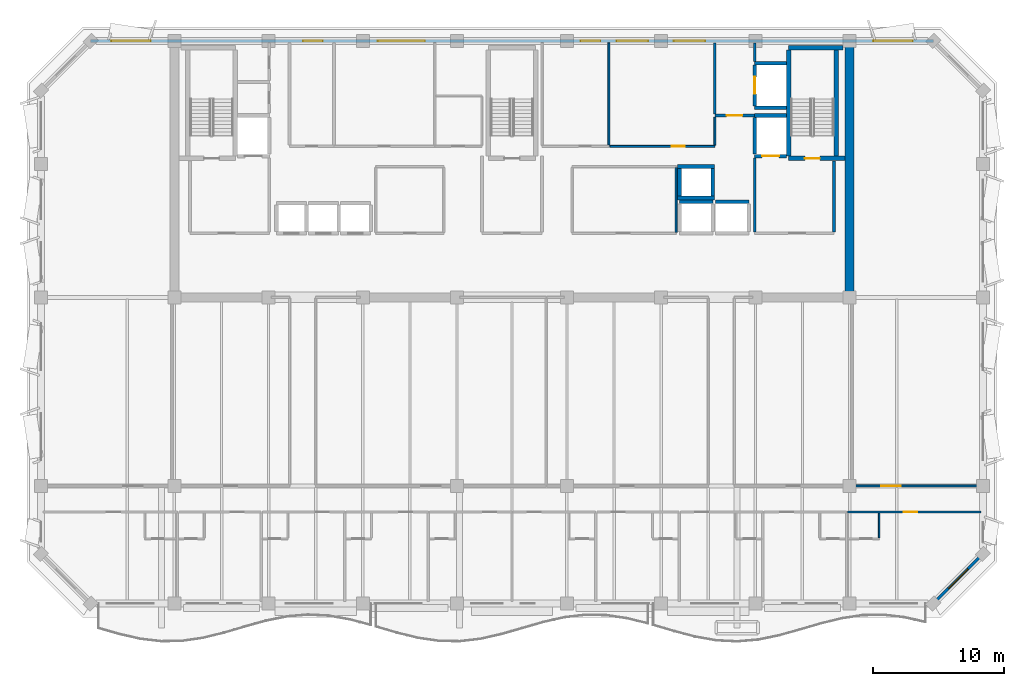
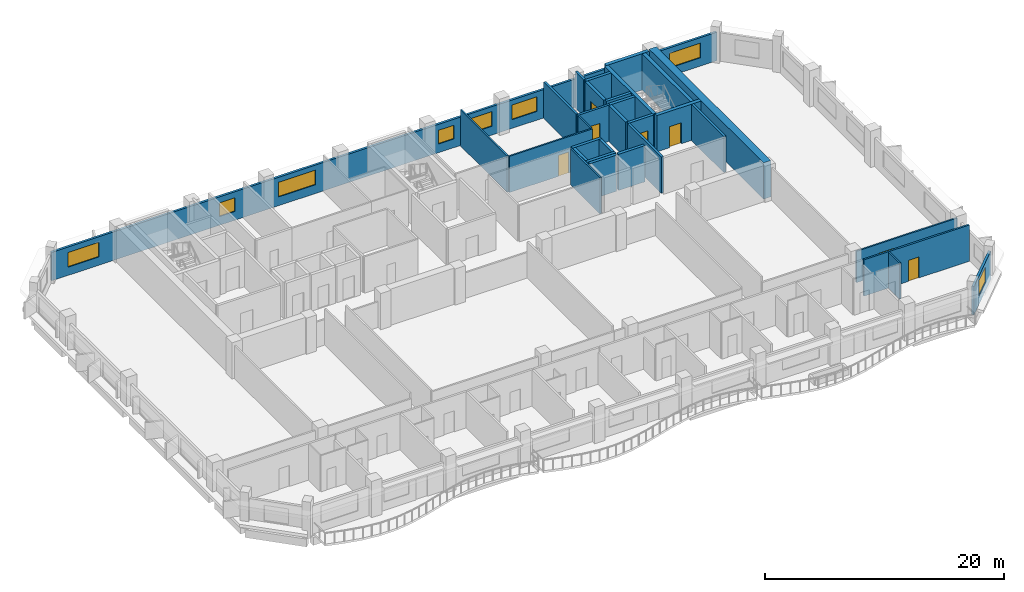
# One storey, part 7 of 11: 31 walls, 8 windows, 7 doors, 15 openings.
"""IFC4 building model written with IfcOpenShell, lengths in metres."""

from ifc_helpers import new_model, si_unit, direction, frame, frame_2d, origin, place, context, subcontext, project, spatial, rectangle, extrude, material, layer, layer_set, type_object, element, fill, save


model = new_model("IFC4")

# Units and contexts
model_context = context("Model", 3, precision=1e-05, world=origin(), true_north=direction((0.0, 1.0)))
body_context = subcontext(model_context, "Body", "Model", "MODEL_VIEW")
ifc_project = project(units=[si_unit("LENGTHUNIT", "METRE"), si_unit("AREAUNIT", "SQUARE_METRE"), si_unit("VOLUMEUNIT", "CUBIC_METRE"), si_unit("PLANEANGLEUNIT", "RADIAN"), si_unit("MASSUNIT", "GRAM", prefix="KILO")], contexts=[model_context])

# Site, building, storey
site_placement = place(None, origin())
site = spatial("IfcSite", under=ifc_project, at=site_placement, CompositionType="ELEMENT")
building_placement = place(site_placement, origin())
building = spatial("IfcBuilding", under=site, at=building_placement, Name="Kaelvorn Grand Hotel", CompositionType="ELEMENT")
storey_placement = place(building_placement, frame((0.0, 0.0, 237.050048828125)))
storey = spatial("IfcBuildingStorey", under=building, at=storey_placement, Name="L58", CompositionType="ELEMENT", Elevation=237.050048828125)

# Wall
ifc_material_1 = material(Name="Concrete C50/60", Category="concrete")
ifc_layer_1 = layer(ifc_material_1, 0.699951171875)
ifc_layer_set_1 = layer_set([ifc_layer_1], Name="Concrete C50/60")
wall_type_1 = type_object("IfcWallType", Name="WL-CORE-700-C50", PredefinedType="SHEAR", material=ifc_layer_set_1)
wall_1_placement = place(storey_placement, frame((67.800048828125, 29.39990234375, 0.0), z_axis=(0.0, 0.0, 1.0), x_axis=(0.0, 1.0, 0.0)))
element("IfcWall", 1, at=wall_1_placement, inside=storey, type_object=wall_type_1, Name="L58 Rear-Core East Shear Wall", PredefinedType="SHEAR", context=body_context, shape_type="SweptSolid", body=[
    extrude(rectangle(XDim=19.2001953125, YDim=0.699951171875, at=frame_2d((9.60009765625, 0.0))), origin(), (0.0, 0.0, 1.0), 3.7099609375),
])

# Wall, opening, window
ifc_material_2 = material(Name="Concrete C40/50", Category="concrete")
ifc_layer_2 = layer(ifc_material_2, 0.219970703125)
ifc_layer_set_2 = layer_set([ifc_layer_2], Name="Concrete C40/50")
wall_type_2 = type_object("IfcWallType", Name="WL-EXT-220-C40", PredefinedType="SOLIDWALL", material=ifc_layer_set_2)
wall_2_placement = place(storey_placement, frame((74.199951171875, 6.0, 0.0), z_axis=(0.0, 0.0, 1.0), x_axis=(0.707106781187, 0.707106781187, 0.0)))
wall_2 = element("IfcWall", 2, at=wall_2_placement, inside=storey, type_object=wall_type_2, Name="L58 Exterior Architectural Concrete Wall 02", PredefinedType="SOLIDWALL", context=body_context, shape_type="SweptSolid", body=[
    extrude(rectangle(XDim=5.3740234375, YDim=0.219970703125, at=frame_2d((2.68701171875, 0.0))), origin(), (0.0, 0.0, 1.0), 2.909912109375),
])
opening_1_placement = place(wall_2_placement, frame((1.636962890625, 0.0, 0.85009765625)))
opening_1 = element("IfcOpeningElement", 3, at=opening_1_placement, cuts=wall_2, Name="Opening W7", PredefinedType="OPENING", context=body_context, shape_type="SweptSolid", body=[
    extrude(rectangle(XDim=2.10009765625, YDim=1.60009765625, at=frame_2d((1.050048828125, 0.800048828125))), frame((0.0, 0.1201171875, 0.0), z_axis=(0.0, -1.0, 0.0), x_axis=(1.0, 0.0, 0.0)), (0.0, 0.0, 1.0), 0.239990234375),
])
ifc_material_3 = material(Name="Laminated Low-E Glass", Category="glass")
window_type_1 = type_object("IfcWindowType", Name="WIN-CHM-2100x1600", PartitioningType="SINGLE_PANEL", PredefinedType="WINDOW", material=ifc_material_3)
window_1_placement = place(opening_1_placement, origin())
window_1 = element("IfcWindow", 4, at=window_1_placement, inside=storey, type_object=window_type_1, Name="L58 Chamfered 45-Degree Corner Window SE", OverallHeight=1.60009765625, OverallWidth=2.10009765625, PartitioningType="SINGLE_PANEL", PredefinedType="WINDOW", context=body_context, shape_type="SweptSolid", body=[
    extrude(rectangle(XDim=2.10009765625, YDim=1.60009765625, at=frame_2d((1.050048828125, 0.800048828125))), frame((0.0, 0.030029296875, 0.0), z_axis=(0.0, -1.0, 0.0), x_axis=(1.0, 0.0, 0.0)), (0.0, 0.0, 1.0), 0.06005859375),
])
fill(opening_1, window_1)

# Wall, openings, windows
wall_3_placement = place(storey_placement, frame((74.199951171875, 49.0, 0.0), z_axis=(0.0, 0.0, 1.0), x_axis=(-1.0, 0.0, 0.0)))
wall_3 = element("IfcWall", 5, at=wall_3_placement, inside=storey, type_object=wall_type_2, Name="L58 Exterior Architectural Concrete Wall 05", PredefinedType="SOLIDWALL", context=body_context, shape_type="SweptSolid", body=[
    extrude(rectangle(XDim=64.39990234375, YDim=0.219970703125, at=frame_2d((32.199951171875, 0.0))), origin(), (0.0, 0.0, 1.0), 2.909912109375),
])
opening_2_placement = place(wall_3_placement, frame((59.81494140625, 0.0, 0.85009765625)))
opening_2 = element("IfcOpeningElement", 6, at=opening_2_placement, cuts=wall_3, Name="Opening W5", PredefinedType="OPENING", context=body_context, shape_type="SweptSolid", body=[
    extrude(rectangle(XDim=3.0, YDim=1.5, at=frame_2d((1.5, 0.75))), frame((0.0, 0.1201171875, 0.0), z_axis=(0.0, -1.0, 0.0), x_axis=(1.0, 0.0, 0.0)), (0.0, 0.0, 1.0), 0.239990234375),
])
opening_3_placement = place(wall_3_placement, frame((1.5849609375, 0.0, 0.85009765625)))
opening_3 = element("IfcOpeningElement", 7, at=opening_3_placement, cuts=wall_3, Name="Opening W5", PredefinedType="OPENING", context=body_context, shape_type="SweptSolid", body=[
    extrude(rectangle(XDim=3.0, YDim=1.5, at=frame_2d((1.5, 0.75))), frame((0.0, 0.1201171875, 0.0), z_axis=(0.0, -1.0, 0.0), x_axis=(1.0, 0.0, 0.0)), (0.0, 0.0, 1.0), 0.239990234375),
])
opening_4_placement = place(wall_3_placement, frame((46.6650390625, 0.0, 0.89990234375)))
opening_4 = element("IfcOpeningElement", 8, at=opening_4_placement, cuts=wall_3, Name="Opening W10", PredefinedType="OPENING", context=body_context, shape_type="SweptSolid", body=[
    extrude(rectangle(XDim=1.5, YDim=1.39990234375, at=frame_2d((0.75, 0.699951171875))), frame((0.0, 0.1201171875, 0.0), z_axis=(0.0, -1.0, 0.0), x_axis=(1.0, 0.0, 0.0)), (0.0, 0.0, 1.0), 0.239990234375),
])
opening_5_placement = place(wall_3_placement, frame((38.85009765625, 0.0, 0.89990234375)))
opening_5 = element("IfcOpeningElement", 9, at=opening_5_placement, cuts=wall_3, Name="Opening W3", PredefinedType="OPENING", context=body_context, shape_type="SweptSolid", body=[
    extrude(rectangle(XDim=3.60009765625, YDim=1.5, at=frame_2d((1.800048828125, 0.75))), frame((0.0, 0.1201171875, 0.0), z_axis=(0.0, -1.0, 0.0), x_axis=(1.0, 0.0, 0.0)), (0.0, 0.0, 1.0), 0.239990234375),
])
opening_6_placement = place(wall_3_placement, frame((25.449951171875, 0.0, 0.89990234375)))
opening_6 = element("IfcOpeningElement", 10, at=opening_6_placement, cuts=wall_3, Name="Opening W10", PredefinedType="OPENING", context=body_context, shape_type="SweptSolid", body=[
    extrude(rectangle(XDim=1.5, YDim=1.39990234375, at=frame_2d((0.75, 0.699951171875))), frame((0.0, 0.1201171875, 0.0), z_axis=(0.0, -1.0, 0.0), x_axis=(1.0, 0.0, 0.0)), (0.0, 0.0, 1.0), 0.239990234375),
])
opening_7_placement = place(wall_3_placement, frame((21.800048828125, 0.0, 0.89990234375)))
opening_7 = element("IfcOpeningElement", 11, at=opening_7_placement, cuts=wall_3, Name="Opening W6", PredefinedType="OPENING", context=body_context, shape_type="SweptSolid", body=[
    extrude(rectangle(XDim=2.39990234375, YDim=1.5, at=frame_2d((1.199951171875, 0.75))), frame((0.0, 0.1201171875, 0.0), z_axis=(0.0, -1.0, 0.0), x_axis=(1.0, 0.0, 0.0)), (0.0, 0.0, 1.0), 0.239990234375),
])
opening_8_placement = place(wall_3_placement, frame((17.43505859375, 0.0, 0.89990234375)))
opening_8 = element("IfcOpeningElement", 12, at=opening_8_placement, cuts=wall_3, Name="Opening W6", PredefinedType="OPENING", context=body_context, shape_type="SweptSolid", body=[
    extrude(rectangle(XDim=2.39990234375, YDim=1.5, at=frame_2d((1.199951171875, 0.75))), frame((0.0, 0.1201171875, 0.0), z_axis=(0.0, -1.0, 0.0), x_axis=(1.0, 0.0, 0.0)), (0.0, 0.0, 1.0), 0.239990234375),
])
window_type_2 = type_object("IfcWindowType", Name="WIN-COR-1500x1400", PartitioningType="SINGLE_PANEL", PredefinedType="WINDOW", material=ifc_material_3)
window_2_placement = place(opening_4_placement, origin())
window_2 = element("IfcWindow", 13, at=window_2_placement, inside=storey, type_object=window_type_2, Name="L58 North Core Clerestory Ribbon Window NC03", OverallHeight=1.39990234375, OverallWidth=1.5, PartitioningType="SINGLE_PANEL", PredefinedType="WINDOW", context=body_context, shape_type="SweptSolid", body=[
    extrude(rectangle(XDim=1.5, YDim=1.39990234375, at=frame_2d((0.75, 0.699951171875))), frame((0.0, 0.030029296875, 0.0), z_axis=(0.0, -1.0, 0.0), x_axis=(1.0, 0.0, 0.0)), (0.0, 0.0, 1.0), 0.06005859375),
])
fill(opening_4, window_2)
window_3_placement = place(opening_6_placement, origin())
window_3 = element("IfcWindow", 14, at=window_3_placement, inside=storey, type_object=window_type_2, Name="L58 North Core Clerestory Ribbon Window NC05", OverallHeight=1.39990234375, OverallWidth=1.5, PartitioningType="SINGLE_PANEL", PredefinedType="WINDOW", context=body_context, shape_type="SweptSolid", body=[
    extrude(rectangle(XDim=1.5, YDim=1.39990234375, at=frame_2d((0.75, 0.699951171875))), frame((0.0, 0.030029296875, 0.0), z_axis=(0.0, -1.0, 0.0), x_axis=(1.0, 0.0, 0.0)), (0.0, 0.0, 1.0), 0.06005859375),
])
fill(opening_6, window_3)
window_type_3 = type_object("IfcWindowType", Name="WIN-NTH-2400x1500", PartitioningType="SINGLE_PANEL", PredefinedType="WINDOW", material=ifc_material_3)
window_4_placement = place(opening_7_placement, origin())
window_4 = element("IfcWindow", 15, at=window_4_placement, inside=storey, type_object=window_type_3, Name="L58 North Core Clerestory Ribbon Window NC06", OverallHeight=1.5, OverallWidth=2.39990234375, PartitioningType="SINGLE_PANEL", PredefinedType="WINDOW", context=body_context, shape_type="SweptSolid", body=[
    extrude(rectangle(XDim=2.39990234375, YDim=1.5, at=frame_2d((1.199951171875, 0.75))), frame((0.0, 0.030029296875, 0.0), z_axis=(0.0, -1.0, 0.0), x_axis=(1.0, 0.0, 0.0)), (0.0, 0.0, 1.0), 0.06005859375),
])
fill(opening_7, window_4)
window_5_placement = place(opening_8_placement, origin())
window_5 = element("IfcWindow", 16, at=window_5_placement, inside=storey, type_object=window_type_3, Name="L58 North Core Clerestory Ribbon Window NC07", OverallHeight=1.5, OverallWidth=2.39990234375, PartitioningType="SINGLE_PANEL", PredefinedType="WINDOW", context=body_context, shape_type="SweptSolid", body=[
    extrude(rectangle(XDim=2.39990234375, YDim=1.5, at=frame_2d((1.199951171875, 0.75))), frame((0.0, 0.030029296875, 0.0), z_axis=(0.0, -1.0, 0.0), x_axis=(1.0, 0.0, 0.0)), (0.0, 0.0, 1.0), 0.06005859375),
])
fill(opening_8, window_5)
window_type_4 = type_object("IfcWindowType", Name="WIN-NTH-3000x1500", PartitioningType="SINGLE_PANEL", PredefinedType="WINDOW", material=ifc_material_3)
window_6_placement = place(opening_2_placement, origin())
window_6 = element("IfcWindow", 17, at=window_6_placement, inside=storey, type_object=window_type_4, Name="L58 North Wing Ribbon Window NW01", OverallHeight=1.5, OverallWidth=3.0, PartitioningType="SINGLE_PANEL", PredefinedType="WINDOW", context=body_context, shape_type="SweptSolid", body=[
    extrude(rectangle(XDim=3.0, YDim=1.5, at=frame_2d((1.5, 0.75))), frame((0.0, 0.030029296875, 0.0), z_axis=(0.0, -1.0, 0.0), x_axis=(1.0, 0.0, 0.0)), (0.0, 0.0, 1.0), 0.06005859375),
])
fill(opening_2, window_6)
window_7_placement = place(opening_3_placement, origin())
window_7 = element("IfcWindow", 18, at=window_7_placement, inside=storey, type_object=window_type_4, Name="L58 North Wing Ribbon Window NW02", OverallHeight=1.5, OverallWidth=3.0, PartitioningType="SINGLE_PANEL", PredefinedType="WINDOW", context=body_context, shape_type="SweptSolid", body=[
    extrude(rectangle(XDim=3.0, YDim=1.5, at=frame_2d((1.5, 0.75))), frame((0.0, 0.030029296875, 0.0), z_axis=(0.0, -1.0, 0.0), x_axis=(1.0, 0.0, 0.0)), (0.0, 0.0, 1.0), 0.06005859375),
])
fill(opening_3, window_7)
window_type_5 = type_object("IfcWindowType", Name="WIN-RIB-3600x1750", PartitioningType="SINGLE_PANEL", PredefinedType="WINDOW", material=ifc_material_3)
window_8_placement = place(opening_5_placement, origin())
window_8 = element("IfcWindow", 19, at=window_8_placement, inside=storey, type_object=window_type_5, Name="L58 North Core Clerestory Ribbon Window NC04", OverallHeight=1.5, OverallWidth=3.60009765625, PartitioningType="SINGLE_PANEL", PredefinedType="WINDOW", context=body_context, shape_type="SweptSolid", body=[
    extrude(rectangle(XDim=3.60009765625, YDim=1.5, at=frame_2d((1.800048828125, 0.75))), frame((0.0, 0.030029296875, 0.0), z_axis=(0.0, -1.0, 0.0), x_axis=(1.0, 0.0, 0.0)), (0.0, 0.0, 1.0), 0.06005859375),
])
fill(opening_5, window_8)

# Walls
ifc_material_4 = material(Name="Moisture-Resistant Tile & Stud Board")
ifc_layer_3 = layer(ifc_material_4, 0.125)
ifc_layer_set_3 = layer_set([ifc_layer_3], Name="Moisture-Resistant Tile & Stud Board")
wall_type_3 = type_object("IfcWallType", Name="WL-PART-125-WET", PredefinedType="PARTITIONING", material=ifc_layer_set_3)
wall_4_placement = place(storey_placement, frame((70.06005859375, 11.017578125, 0.0), z_axis=(0.0, 0.0, 1.0), x_axis=(0.0, 1.0, 0.0)))
element("IfcWall", 20, at=wall_4_placement, inside=storey, type_object=wall_type_3, Name="L58 En-suite Bathroom L58-10 E Partition", PredefinedType="PARTITIONING", context=body_context, shape_type="SweptSolid", body=[
    extrude(rectangle(XDim=1.887451171875, YDim=0.125, at=frame_2d((0.94384765625, 0.0))), origin(), (0.0, 0.0, 1.0), 3.7099609375),
])
ifc_material_5 = material(Name="Acoustic Gypsum & Stud Partition")
ifc_layer_4 = layer(ifc_material_5, 0.14990234375)
ifc_layer_set_4 = layer_set([ifc_layer_4], Name="Acoustic Gypsum & Stud Partition")
wall_type_4 = type_object("IfcWallType", Name="WL-PART-150-EI60", PredefinedType="PARTITIONING", material=ifc_layer_set_4)
wall_5_placement = place(storey_placement, frame((54.550048828125, 34.3798828125, 0.0), z_axis=(0.0, 0.0, 1.0), x_axis=(0.0, 1.0, 0.0)))
element("IfcWall", 21, at=wall_5_placement, inside=storey, type_object=wall_type_4, Name="L58 Sky Concierge & Butler Pantry Lounge E Partition", PredefinedType="PARTITIONING", context=body_context, shape_type="SweptSolid", body=[
    extrude(rectangle(XDim=4.940185546875, YDim=0.14990234375, at=frame_2d((2.47021484375, 0.0))), origin(), (0.0, 0.0, 1.0), 3.7099609375),
])
wall_6_placement = place(storey_placement, frame((49.39990234375, 41.030029296875, 0.0), z_axis=(0.0, 0.0, 1.0), x_axis=(0.0, 1.0, 0.0)))
element("IfcWall", 22, at=wall_6_placement, inside=storey, type_object=wall_type_4, Name="L58 Laundry Chute Vestibule E Partition", PredefinedType="PARTITIONING", context=body_context, shape_type="SweptSolid", body=[
    extrude(rectangle(XDim=7.820068359375, YDim=0.14990234375, at=frame_2d((3.91015625, 0.0))), origin(), (0.0, 0.0, 1.0), 3.7099609375),
])

# Wall, opening, door
wall_7_placement = place(storey_placement, frame((49.47998046875, 40.949951171875, 0.0), z_axis=(0.0, 0.0, 1.0), x_axis=(1.0, 0.0, 0.0)))
wall_7 = element("IfcWall", 23, at=wall_7_placement, inside=storey, type_object=wall_type_4, Name="L58 Butler Servery Pantry S Partition", PredefinedType="PARTITIONING", context=body_context, shape_type="SweptSolid", body=[
    extrude(rectangle(XDim=8.02001953125, YDim=0.14990234375, at=frame_2d((4.010009765625, 0.0))), origin(), (0.0, 0.0, 1.0), 3.7099609375),
])
opening_9_placement = place(wall_7_placement, frame((4.719970703125, 0.0, 0.0)))
opening_9 = element("IfcOpeningElement", 24, at=opening_9_placement, cuts=wall_7, Name="Opening DI3", PredefinedType="OPENING", context=body_context, shape_type="SweptSolid", body=[
    extrude(rectangle(XDim=1.0, YDim=2.14990234375, at=frame_2d((0.5, 1.074951171875))), frame((0.0, 0.0849609375, 0.0), z_axis=(0.0, -1.0, 0.0), x_axis=(1.0, 0.0, 0.0)), (0.0, 0.0, 1.0), 0.169921875),
])
ifc_material_6 = material(Name="Timber Veneer Fire Leaf", Category="wood")
door_type_1 = type_object("IfcDoorType", Name="DR-INT-GUEST-1000x2150", OperationType="NOTDEFINED", PredefinedType="DOOR", material=ifc_material_6)
door_1_placement = place(opening_9_placement, origin())
door_1 = element("IfcDoor", 25, at=door_1_placement, inside=storey, type_object=door_type_1, Name="L58 Butler Servery Pantry Door", OperationType="SINGLE_SWING_LEFT", OverallHeight=2.14990234375, OverallWidth=1.0, PredefinedType="DOOR", context=body_context, shape_type="SweptSolid", body=[
    extrude(rectangle(XDim=1.0, YDim=2.14990234375, at=frame_2d((0.5, 1.074951171875))), frame((0.0, 0.02490234375, 0.0), z_axis=(0.0, -1.0, 0.0), x_axis=(1.0, 0.0, 0.0)), (0.0, 0.0, 1.0), 0.050048828125),
])
fill(opening_9, door_1)

# Wall
wall_8_placement = place(storey_placement, frame((57.5, 41.030029296875, 0.0), z_axis=(0.0, 0.0, 1.0), x_axis=(0.0, 1.0, 0.0)))
element("IfcWall", 26, at=wall_8_placement, inside=storey, type_object=wall_type_4, Name="L58 Butler Servery Pantry E Partition", PredefinedType="PARTITIONING", context=body_context, shape_type="SweptSolid", body=[
    extrude(rectangle(XDim=2.155029296875, YDim=0.14990234375, at=frame_2d((1.07763671875, 0.0))), origin(), (0.0, 0.0, 1.0), 3.7099609375),
])

# Wall, opening, door
wall_9_placement = place(storey_placement, frame((68.080078125, 15.0, 0.0), z_axis=(0.0, 0.0, 1.0), x_axis=(1.0, 0.0, 0.0)))
wall_9 = element("IfcWall", 27, at=wall_9_placement, inside=storey, type_object=wall_type_4, Name="L58 East Sky Executive Meeting Boardroom S Partition", PredefinedType="PARTITIONING", context=body_context, shape_type="SweptSolid", body=[
    extrude(rectangle(XDim=9.77001953125, YDim=0.14990234375, at=frame_2d((4.885009765625, 0.0))), origin(), (0.0, 0.0, 1.0), 3.2099609375),
])
opening_10_placement = place(wall_9_placement, frame((2.139892578125, 0.0, 0.0)))
opening_10 = element("IfcOpeningElement", 28, at=opening_10_placement, cuts=wall_9, Name="Opening DI5", PredefinedType="OPENING", context=body_context, shape_type="SweptSolid", body=[
    extrude(rectangle(XDim=1.5, YDim=2.25, at=frame_2d((0.75, 1.125))), frame((0.0, 0.0849609375, 0.0), z_axis=(0.0, -1.0, 0.0), x_axis=(1.0, 0.0, 0.0)), (0.0, 0.0, 1.0), 0.169921875),
])
door_type_2 = type_object("IfcDoorType", Name="DR-INT-SALON-1500x2250", OperationType="DOUBLE_DOOR_SINGLE_SWING", PredefinedType="DOOR", material=ifc_material_6)
door_2_placement = place(opening_10_placement, origin())
door_2 = element("IfcDoor", 29, at=door_2_placement, inside=storey, type_object=door_type_2, Name="L58 East Sky Executive Meeting Boardroom Door", OperationType="DOUBLE_DOOR_SINGLE_SWING", OverallHeight=2.25, OverallWidth=1.5, PredefinedType="DOOR", context=body_context, shape_type="SweptSolid", body=[
    extrude(rectangle(XDim=1.5, YDim=2.25, at=frame_2d((0.75, 1.125))), frame((0.0, 0.02490234375, 0.0), z_axis=(0.0, -1.0, 0.0), x_axis=(1.0, 0.0, 0.0)), (0.0, 0.0, 1.0), 0.050048828125),
])
fill(opening_10, door_2)

ifc_layer_5 = layer(ifc_material_5, 0.179931640625)
ifc_layer_set_5 = layer_set([ifc_layer_5], Name="Acoustic Gypsum & Stud Partition")
wall_type_5 = type_object("IfcWallType", Name="WL-PART-180-EI60", PredefinedType="PARTITIONING", material=ifc_layer_set_5)
wall_10_placement = place(storey_placement, frame((67.655029296875, 13.0, 0.0), z_axis=(0.0, 0.0, 1.0), x_axis=(1.0, 0.0, 0.0)))
wall_10 = element("IfcWall", 30, at=wall_10_placement, inside=storey, type_object=wall_type_5, Name="L58 Ambassador Guest Room L58-10 N Partition", PredefinedType="PARTITIONING", context=body_context, shape_type="SweptSolid", body=[
    extrude(rectangle(XDim=10.195068359375, YDim=0.179931640625, at=frame_2d((5.09765625, 0.0))), origin(), (0.0, 0.0, 1.0), 3.7099609375),
])
opening_11_placement = place(wall_10_placement, frame((4.300048828125, 0.0, 0.0)))
opening_11 = element("IfcOpeningElement", 31, at=opening_11_placement, cuts=wall_10, Name="Opening DI3", PredefinedType="OPENING", context=body_context, shape_type="SweptSolid", body=[
    extrude(rectangle(XDim=1.0, YDim=2.14990234375, at=frame_2d((0.5, 1.074951171875))), frame((0.0, 0.10009765625, 0.0), z_axis=(0.0, -1.0, 0.0), x_axis=(1.0, 0.0, 0.0)), (0.0, 0.0, 1.0), 0.199951171875),
])
door_3_placement = place(opening_11_placement, origin())
door_3 = element("IfcDoor", 32, at=door_3_placement, inside=storey, type_object=door_type_1, Name="L58 Ambassador Guest Room L58-10 Door", OperationType="SINGLE_SWING_RIGHT", OverallHeight=2.14990234375, OverallWidth=1.0, PredefinedType="DOOR", context=body_context, shape_type="SweptSolid", body=[
    extrude(rectangle(XDim=1.0, YDim=2.14990234375, at=frame_2d((0.5, 1.074951171875))), frame((0.0, 0.02490234375, 0.0), z_axis=(0.0, -1.0, 0.0), x_axis=(1.0, 0.0, 0.0)), (0.0, 0.0, 1.0), 0.050048828125),
])
fill(opening_11, door_3)

# Walls
ifc_layer_6 = layer(ifc_material_2, 0.219970703125)
ifc_layer_set_6 = layer_set([ifc_layer_6], Name="Concrete C40/50")
wall_type_6 = type_object("IfcWallType", Name="WL-PART-220-EI120", PredefinedType="PARTITIONING", material=ifc_layer_set_6)
wall_11_placement = place(storey_placement, frame((60.550048828125, 34.4150390625, 0.0), z_axis=(0.0, 0.0, 1.0), x_axis=(0.0, 1.0, 0.0)))
element("IfcWall", 33, at=wall_11_placement, inside=storey, type_object=wall_type_6, Name="L58 Firefighting Lift Lobby 2 W Partition", PredefinedType="PARTITIONING", context=body_context, shape_type="SweptSolid", body=[
    extrude(rectangle(XDim=5.639892578125, YDim=0.219970703125, at=frame_2d((2.81982421875, 0.0))), origin(), (0.0, 0.0, 1.0), 3.7099609375),
])
wall_12_placement = place(storey_placement, frame((66.60009765625, 34.4150390625, 0.0), z_axis=(0.0, 0.0, 1.0), x_axis=(0.0, 1.0, 0.0)))
element("IfcWall", 34, at=wall_12_placement, inside=storey, type_object=wall_type_6, Name="L58 Firefighting Lift Lobby 2 E Partition", PredefinedType="PARTITIONING", context=body_context, shape_type="SweptSolid", body=[
    extrude(rectangle(XDim=5.429931640625, YDim=0.219970703125, at=frame_2d((2.71484375, 0.0))), origin(), (0.0, 0.0, 1.0), 3.7099609375),
])

# Wall, opening, door
wall_13_placement = place(storey_placement, frame((57.5, 43.300048828125, 0.0), z_axis=(0.0, 0.0, 1.0), x_axis=(1.0, 0.0, 0.0)))
wall_13 = element("IfcWall", 35, at=wall_13_placement, inside=storey, type_object=wall_type_6, Name="L58 Service Lift Lobby S Partition", PredefinedType="PARTITIONING", context=body_context, shape_type="SweptSolid", body=[
    extrude(rectangle(XDim=3.0400390625, YDim=0.219970703125, at=frame_2d((1.52001953125, 0.0))), origin(), (0.0, 0.0, 1.0), 3.7099609375),
])
opening_12_placement = place(wall_13_placement, frame((0.89990234375, 0.0, 0.0)))
opening_12 = element("IfcOpeningElement", 36, at=opening_12_placement, cuts=wall_13, Name="Opening DI2", PredefinedType="OPENING", context=body_context, shape_type="SweptSolid", body=[
    extrude(rectangle(XDim=1.199951171875, YDim=2.14990234375, at=frame_2d((0.60009765625, 1.074951171875))), frame((0.0, 0.1201171875, 0.0), z_axis=(0.0, -1.0, 0.0), x_axis=(1.0, 0.0, 0.0)), (0.0, 0.0, 1.0), 0.239990234375),
])
door_type_3 = type_object("IfcDoorType", Name="DR-INT-FFLOB-1200x2150", OperationType="NOTDEFINED", PredefinedType="DOOR", material=ifc_material_6)
door_4_placement = place(opening_12_placement, origin())
door_4 = element("IfcDoor", 37, at=door_4_placement, inside=storey, type_object=door_type_3, Name="L58 Service Lift Lobby Door", OperationType="SINGLE_SWING_RIGHT", OverallHeight=2.14990234375, OverallWidth=1.199951171875, PredefinedType="DOOR", context=body_context, shape_type="SweptSolid", body=[
    extrude(rectangle(XDim=1.199951171875, YDim=2.14990234375, at=frame_2d((0.60009765625, 1.074951171875))), frame((0.0, 0.02490234375, 0.0), z_axis=(0.0, -1.0, 0.0), x_axis=(1.0, 0.0, 0.0)), (0.0, 0.0, 1.0), 0.050048828125),
])
fill(opening_12, door_4)

# Walls
wall_14_placement = place(storey_placement, frame((57.5, 43.4150390625, 0.0), z_axis=(0.0, 0.0, 1.0), x_axis=(0.0, 1.0, 0.0)))
element("IfcWall", 38, at=wall_14_placement, inside=storey, type_object=wall_type_6, Name="L58 Service Lift Lobby W Partition", PredefinedType="PARTITIONING", context=body_context, shape_type="SweptSolid", body=[
    extrude(rectangle(XDim=5.43505859375, YDim=0.219970703125, at=frame_2d((2.717529296875, 0.0))), origin(), (0.0, 0.0, 1.0), 3.7099609375),
])
wall_15_placement = place(storey_placement, frame((60.550048828125, 47.445068359375, 0.0), z_axis=(0.0, 0.0, 1.0), x_axis=(0.0, 1.0, 0.0)))
element("IfcWall", 39, at=wall_15_placement, inside=storey, type_object=wall_type_6, Name="L58 Service Lift Lobby E Partition", PredefinedType="PARTITIONING", context=body_context, shape_type="SweptSolid", body=[
    extrude(rectangle(XDim=1.405029296875, YDim=0.219970703125, at=frame_2d((0.70263671875, 0.0))), origin(), (0.0, 0.0, 1.0), 3.7099609375),
])
ifc_layer_7 = layer(ifc_material_1, 0.280029296875)
ifc_layer_set_7 = layer_set([ifc_layer_7], Name="Concrete C50/60")
wall_type_7 = type_object("IfcWallType", Name="WL-SHAFT-280-C50", PredefinedType="SHEAR", material=ifc_layer_set_7)
for number, where, z_axis, x_axis, name in (
    (40, (54.800048828125, 36.699951171875, 0.0), (0.0, 0.0, 1.0), (1.0, 0.0, 0.0), "L58 Lift OL-1 Shaft North Wall"),
    (41, (57.550048828125, 36.699951171875, 0.0), (0.0, 0.0, 1.0), (1.0, 0.0, 0.0), "L58 Lift OL-2 Shaft North Wall"),
):
    element("IfcWall", number, at=place(storey_placement, frame(where, z_axis=z_axis, x_axis=x_axis)), inside=storey, type_object=wall_type_7, Name=name, PredefinedType="SHEAR", context=body_context, shape_type="SweptSolid", body=[
        extrude(rectangle(XDim=2.550048828125, YDim=0.280029296875, at=frame_2d((1.27490234375, 0.0))), origin(), (0.0, 0.0, 1.0), 3.7099609375),
    ])
for number, where, z_axis, x_axis, name in (
    (42, (54.659912109375, 37.0, 0.0), (0.0, 0.0, 1.0), (1.0, 0.0, 0.0), "L58 Lift OL-3 Shaft South Wall"),
    (43, (54.659912109375, 39.39990234375, 0.0), (0.0, 0.0, 1.0), (1.0, 0.0, 0.0), "L58 Lift OL-3 Shaft North Wall"),
):
    element("IfcWall", number, at=place(storey_placement, frame(where, z_axis=z_axis, x_axis=x_axis)), inside=storey, type_object=wall_type_7, Name=name, PredefinedType="SHEAR", context=body_context, shape_type="SweptSolid", body=[
        extrude(rectangle(XDim=2.830078125, YDim=0.280029296875, at=frame_2d((1.4150390625, 0.0))), origin(), (0.0, 0.0, 1.0), 3.7099609375),
    ])
for number, where, z_axis, x_axis, name in (
    (44, (54.800048828125, 37.14501953125, 0.0), (0.0, 0.0, 1.0), (0.0, 1.0, 0.0), "L58 Lift OL-3 Shaft West Wall"),
    (45, (57.35009765625, 37.14501953125, 0.0), (0.0, 0.0, 1.0), (0.0, 1.0, 0.0), "L58 Lift OL-3 Shaft East Wall"),
):
    element("IfcWall", number, at=place(storey_placement, frame(where, z_axis=z_axis, x_axis=x_axis)), inside=storey, type_object=wall_type_7, Name=name, PredefinedType="SHEAR", context=body_context, shape_type="SweptSolid", body=[
        extrude(rectangle(XDim=2.10986328125, YDim=0.280029296875, at=frame_2d((1.054931640625, 0.0))), origin(), (0.0, 0.0, 1.0), 3.7099609375),
    ])

# Wall, opening, door
wall_16_placement = place(storey_placement, frame((60.550048828125, 40.199951171875, 0.0), z_axis=(0.0, 0.0, 1.0), x_axis=(1.0, 0.0, 0.0)))
wall_16 = element("IfcWall", 46, at=wall_16_placement, inside=storey, type_object=wall_type_7, Name="L58 Lift FFL2 Shaft South Wall", PredefinedType="SHEAR", context=body_context, shape_type="SweptSolid", body=[
    extrude(rectangle(XDim=2.4150390625, YDim=0.280029296875, at=frame_2d((1.20751953125, 0.0))), origin(), (0.0, 0.0, 1.0), 3.7099609375),
])
opening_13_placement = place(wall_16_placement, frame((0.574951171875, 0.0, 0.0)))
opening_13 = element("IfcOpeningElement", 47, at=opening_13_placement, cuts=wall_16, Name="Opening LD-FFL2", PredefinedType="OPENING", context=body_context, shape_type="SweptSolid", body=[
    extrude(rectangle(XDim=1.300048828125, YDim=2.300048828125, at=frame_2d((0.64990234375, 1.14990234375))), frame((0.0, 0.14990234375, 0.0), z_axis=(0.0, -1.0, 0.0), x_axis=(1.0, 0.0, 0.0)), (0.0, 0.0, 1.0), 0.300048828125),
])
ifc_material_7 = material(Name="Stainless Steel", Category="steel")
door_type_4 = type_object("IfcDoorType", Name="DR-LIFT-SERV-1300x2300", OperationType="DOUBLE_DOOR_SLIDING", PredefinedType="DOOR", material=ifc_material_7)
door_5_placement = place(opening_13_placement, origin())
door_5 = element("IfcDoor", 48, at=door_5_placement, inside=storey, type_object=door_type_4, Name="L58 Lift FFL2 Sliding Landing Door LD-FFL2", OperationType="DOUBLE_DOOR_SLIDING", OverallHeight=2.300048828125, OverallWidth=1.300048828125, PredefinedType="DOOR", context=body_context, shape_type="SweptSolid", body=[
    extrude(rectangle(XDim=1.300048828125, YDim=2.300048828125, at=frame_2d((0.64990234375, 1.14990234375))), frame((0.0, 0.02490234375, 0.0), z_axis=(0.0, -1.0, 0.0), x_axis=(1.0, 0.0, 0.0)), (0.0, 0.0, 1.0), 0.050048828125),
])
fill(opening_13, door_5)

# Walls
wall_17_placement = place(storey_placement, frame((60.550048828125, 43.300048828125, 0.0), z_axis=(0.0, 0.0, 1.0), x_axis=(1.0, 0.0, 0.0)))
element("IfcWall", 49, at=wall_17_placement, inside=storey, type_object=wall_type_7, Name="L58 Lift FFL2 Shaft North Wall", PredefinedType="SHEAR", context=body_context, shape_type="SweptSolid", body=[
    extrude(rectangle(XDim=2.4150390625, YDim=0.280029296875, at=frame_2d((1.20751953125, 0.0))), origin(), (0.0, 0.0, 1.0), 3.7099609375),
])
wall_18_placement = place(storey_placement, frame((60.550048828125, 40.344970703125, 0.0), z_axis=(0.0, 0.0, 1.0), x_axis=(0.0, 1.0, 0.0)))
element("IfcWall", 50, at=wall_18_placement, inside=storey, type_object=wall_type_7, Name="L58 Lift FFL2 Shaft West Wall", PredefinedType="SHEAR", context=body_context, shape_type="SweptSolid", body=[
    extrude(rectangle(XDim=2.81005859375, YDim=0.280029296875, at=frame_2d((1.405029296875, 0.0))), origin(), (0.0, 0.0, 1.0), 3.7099609375),
])
for number, where, z_axis, x_axis, name in (
    (51, (60.550048828125, 43.89990234375, 0.0), (0.0, 0.0, 1.0), (1.0, 0.0, 0.0), "L58 Lift SV1 Shaft South Wall"),
    (52, (60.550048828125, 47.300048828125, 0.0), (0.0, 0.0, 1.0), (1.0, 0.0, 0.0), "L58 Lift SV1 Shaft North Wall"),
):
    element("IfcWall", number, at=place(storey_placement, frame(where, z_axis=z_axis, x_axis=x_axis)), inside=storey, type_object=wall_type_7, Name=name, PredefinedType="SHEAR", context=body_context, shape_type="SweptSolid", body=[
        extrude(rectangle(XDim=2.4150390625, YDim=0.280029296875, at=frame_2d((1.20751953125, 0.0))), origin(), (0.0, 0.0, 1.0), 3.7099609375),
    ])

# Wall, opening, door
wall_19_placement = place(storey_placement, frame((60.550048828125, 44.044921875, 0.0), z_axis=(0.0, 0.0, 1.0), x_axis=(0.0, 1.0, 0.0)))
wall_19 = element("IfcWall", 53, at=wall_19_placement, inside=storey, type_object=wall_type_7, Name="L58 Lift SV1 Shaft West Wall", PredefinedType="SHEAR", context=body_context, shape_type="SweptSolid", body=[
    extrude(rectangle(XDim=3.110107421875, YDim=0.280029296875, at=frame_2d((1.55517578125, 0.0))), origin(), (0.0, 0.0, 1.0), 3.7099609375),
])
opening_14_placement = place(wall_19_placement, frame((0.905029296875, 0.0, 0.0)))
opening_14 = element("IfcOpeningElement", 54, at=opening_14_placement, cuts=wall_19, Name="Opening LD-SV1", PredefinedType="OPENING", context=body_context, shape_type="SweptSolid", body=[
    extrude(rectangle(XDim=1.300048828125, YDim=2.300048828125, at=frame_2d((0.64990234375, 1.14990234375))), frame((0.0, 0.14990234375, 0.0), z_axis=(0.0, -1.0, 0.0), x_axis=(1.0, 0.0, 0.0)), (0.0, 0.0, 1.0), 0.300048828125),
])
door_6_placement = place(opening_14_placement, origin())
door_6 = element("IfcDoor", 55, at=door_6_placement, inside=storey, type_object=door_type_4, Name="L58 Lift SV1 Sliding Landing Door LD-SV1", OperationType="DOUBLE_DOOR_SLIDING", OverallHeight=2.300048828125, OverallWidth=1.300048828125, PredefinedType="DOOR", context=body_context, shape_type="SweptSolid", body=[
    extrude(rectangle(XDim=1.300048828125, YDim=2.300048828125, at=frame_2d((0.64990234375, 1.14990234375))), frame((0.0, 0.02490234375, 0.0), z_axis=(0.0, -1.0, 0.0), x_axis=(1.0, 0.0, 0.0)), (0.0, 0.0, 1.0), 0.050048828125),
])
fill(opening_14, door_6)

ifc_material_8 = material(Name="Concrete C60/75", Category="concrete")
ifc_layer_8 = layer(ifc_material_8, 0.35009765625)
ifc_layer_set_8 = layer_set([ifc_layer_8], Name="Concrete C60/75")
wall_type_8 = type_object("IfcWallType", Name="WL-SHAFT-350-C60", PredefinedType="SHEAR", material=ifc_layer_set_8)
wall_20_placement = place(storey_placement, frame((63.14501953125, 40.02490234375, 0.0), z_axis=(0.0, 0.0, 1.0), x_axis=(1.0, 0.0, 0.0)))
wall_20 = element("IfcWall", 56, at=wall_20_placement, inside=storey, type_object=wall_type_8, Name="L58 ST3 Stair Shaft South Wall", PredefinedType="SHEAR", context=body_context, shape_type="SweptSolid", body=[
    extrude(rectangle(XDim=4.300048828125, YDim=0.35009765625, at=frame_2d((2.14990234375, 0.0))), origin(), (0.0, 0.0, 1.0), 3.7099609375),
])
opening_15_placement = place(wall_20_placement, frame((1.239990234375, 0.0, 0.0)))
opening_15 = element("IfcOpeningElement", 57, at=opening_15_placement, cuts=wall_20, Name="Opening DI1", PredefinedType="OPENING", context=body_context, shape_type="SweptSolid", body=[
    extrude(rectangle(XDim=1.14990234375, YDim=2.14990234375, at=frame_2d((0.574951171875, 1.074951171875))), frame((0.0, 0.18505859375, 0.0), z_axis=(0.0, -1.0, 0.0), x_axis=(1.0, 0.0, 0.0)), (0.0, 0.0, 1.0), 0.3701171875),
])
door_type_5 = type_object("IfcDoorType", Name="DR-INT-STAIR-1150x2150", OperationType="NOTDEFINED", PredefinedType="DOOR", material=ifc_material_6)
door_7_placement = place(opening_15_placement, origin())
door_7 = element("IfcDoor", 58, at=door_7_placement, inside=storey, type_object=door_type_5, Name="L58 ST3 Exit Stair Fire Door", OperationType="SINGLE_SWING_RIGHT", OverallHeight=2.14990234375, OverallWidth=1.14990234375, PredefinedType="DOOR", context=body_context, shape_type="SweptSolid", body=[
    extrude(rectangle(XDim=1.14990234375, YDim=2.14990234375, at=frame_2d((0.574951171875, 1.074951171875))), frame((0.0, 0.02490234375, 0.0), z_axis=(0.0, -1.0, 0.0), x_axis=(1.0, 0.0, 0.0)), (0.0, 0.0, 1.0), 0.050048828125),
])
fill(opening_15, door_7)

# Walls
wall_21_placement = place(storey_placement, frame((63.14501953125, 48.47509765625, 0.0), z_axis=(0.0, 0.0, 1.0), x_axis=(1.0, 0.0, 0.0)))
element("IfcWall", 59, at=wall_21_placement, inside=storey, type_object=wall_type_8, Name="L58 ST3 Stair Shaft North Wall", PredefinedType="SHEAR", context=body_context, shape_type="SweptSolid", body=[
    extrude(rectangle(XDim=4.14990234375, YDim=0.35009765625, at=frame_2d((2.074951171875, 0.0))), origin(), (0.0, 0.0, 1.0), 3.7099609375),
])
for number, where, z_axis, x_axis, name in (
    (60, (63.14501953125, 40.205078125, 0.0), (0.0, 0.0, 1.0), (0.0, 1.0, 0.0), "L58 ST3 Stair Shaft West Wall"),
    (61, (66.77490234375, 40.205078125, 0.0), (0.0, 0.0, 1.0), (0.0, 1.0, 0.0), "L58 ST3 Stair Shaft East Wall"),
):
    element("IfcWall", number, at=place(storey_placement, frame(where, z_axis=z_axis, x_axis=x_axis)), inside=storey, type_object=wall_type_8, Name=name, PredefinedType="SHEAR", context=body_context, shape_type="SweptSolid", body=[
        extrude(rectangle(XDim=8.08984375, YDim=0.35009765625, at=frame_2d((4.044921875, 0.0))), origin(), (0.0, 0.0, 1.0), 3.7099609375),
    ])

save(model, "model.ifc")
